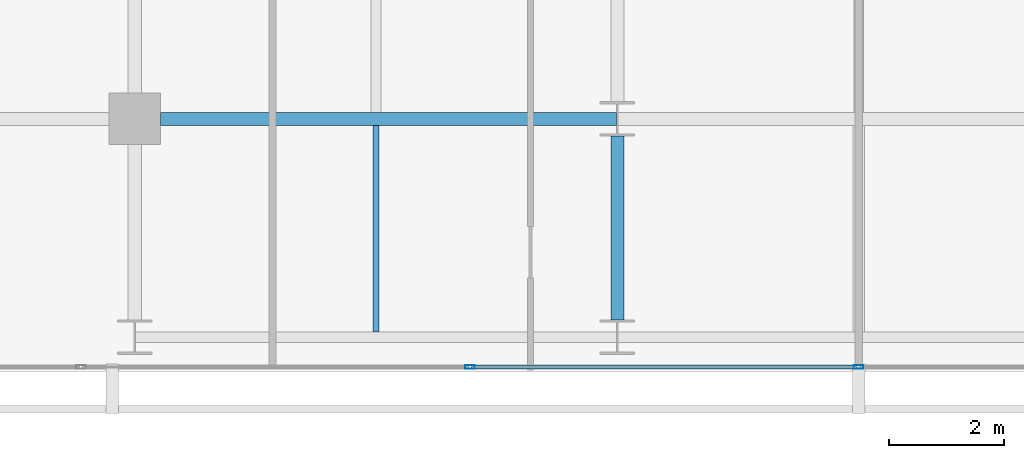
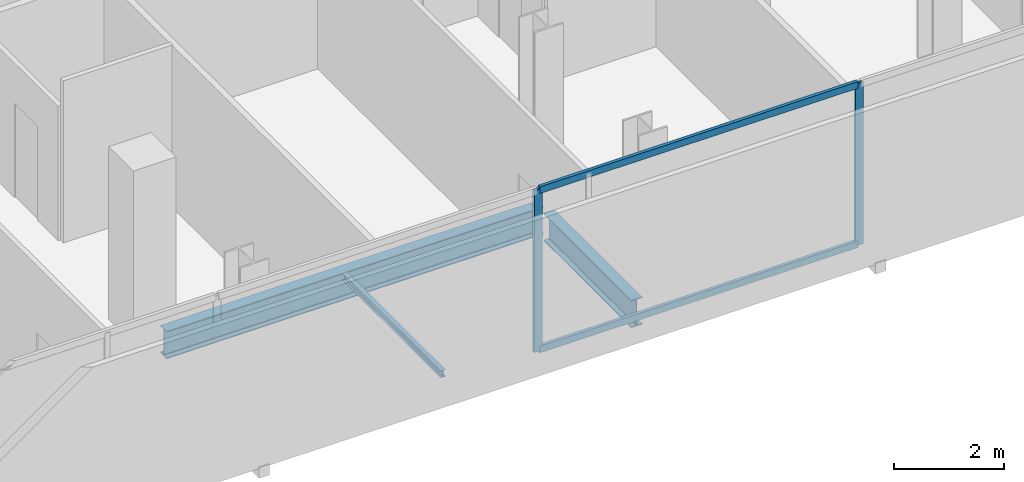
# One storey, part 6 of 33: 4 members, 3 beams, 1 element without a shape of its own.
"""IFC4 building model written with IfcOpenShell, lengths in metres."""

from ifc_helpers import new_model, si_unit, direction, frame, origin, origin_2d, place, context, subcontext, project, spatial, hollow_rectangle, i_section, extrude, material, layer, layer_set, material_profile, profile_set, type_object, element, aggregate, save


model = new_model("IFC4")

# Units and contexts
model_context = context("Model", 3, precision=1e-05, world=origin(), true_north=direction((0.0, 1.0)))
body_context = subcontext(model_context, "Body", "Model", "MODEL_VIEW")
ifc_project = project(units=[si_unit("LENGTHUNIT", "METRE"), si_unit("AREAUNIT", "SQUARE_METRE"), si_unit("VOLUMEUNIT", "CUBIC_METRE"), si_unit("PLANEANGLEUNIT", "RADIAN"), si_unit("MASSUNIT", "GRAM", prefix="KILO")], contexts=[model_context])

# Site, building, storey
site_placement = place(None, origin())
site = spatial("IfcSite", under=ifc_project, at=site_placement, CompositionType="ELEMENT")
building_placement = place(site_placement, origin())
building = spatial("IfcBuilding", under=site, at=building_placement, Name="Maruvema Waterfront Hotel and Observation Tower", CompositionType="ELEMENT")
storey_placement = place(building_placement, frame((0.0, 0.0, 142.800048828125)))
storey = spatial("IfcBuildingStorey", under=building, at=storey_placement, Name="L34", CompositionType="ELEMENT", Elevation=142.800048828125)

# Curtain wall, members
ifc_material_1 = material(Name="Anodised bronze aluminium and solar-control low-E IGU", Category="aluminium")
ifc_layer = layer(ifc_material_1, 0.159912109375, Name="Zone 2 Amber Inner Thermal Curtain Wall System CW-03")
ifc_layer_set = layer_set([ifc_layer], Name="Anodised bronze aluminium and solar-control low-E IGU")
curtain_wall_type = type_object("IfcCurtainWallType", Name="Zone 2 Amber Inner Thermal Curtain Wall System CW-03", PredefinedType="USERDEFINED", material=ifc_layer_set)
curtain_wall_placement = place(storey_placement, origin())
curtain_wall = element("IfcCurtainWall", 1, at=curtain_wall_placement, inside=storey, type_object=curtain_wall_type, Name="L34 Curtain Wall CW-L34-S", ObjectType="UNITISED CURTAIN WALL", PredefinedType="USERDEFINED")
ifc_material_2 = material(Name="Anodised architectural bronze aluminium", Category="aluminium")
ifc_material_profile_1 = material_profile(ifc_material_2, hollow_rectangle(XDim=0.070068359375, YDim=0.14990234375, WallThickness=0.00390625, at=origin_2d()), Name="ALU-T70x150")
ifc_profile_set_1 = profile_set([ifc_material_profile_1], Name="Anodised architectural bronze aluminium")
member_type_1 = type_object("IfcMemberType", Name="Curtain Wall Horizontal Transom ALU-T70x150", PredefinedType="USERDEFINED", material=ifc_profile_set_1)
member_1_placement = place(storey_placement, frame((31.063232421875, 4.679931640625, 0.030029296875), z_axis=(1.0, 0.0, 0.0), x_axis=(0.0, 1.0, 0.0)))
member_1 = element("IfcMember", 2, at=member_1_placement, type_object=member_type_1, Name="CW-03 transom 3.1", ObjectType="TRANSOM", PredefinedType="USERDEFINED", context=body_context, shape_type="SweptSolid", body=[
    extrude(hollow_rectangle(XDim=0.070068359375, YDim=0.14990234375, WallThickness=0.00390625, at=origin_2d()), origin(), (0.0, 0.0, 1.0), 6.706787109375),
])
member_2_placement = place(storey_placement, frame((31.063232421875, 4.679931640625, 3.579833984375), z_axis=(1.0, 0.0, 0.0), x_axis=(0.0, 1.0, 0.0)))
member_2 = element("IfcMember", 3, at=member_2_placement, type_object=member_type_1, Name="CW-03 transom 3.2", ObjectType="TRANSOM", PredefinedType="USERDEFINED", context=body_context, shape_type="SweptSolid", body=[
    extrude(hollow_rectangle(XDim=0.070068359375, YDim=0.14990234375, WallThickness=0.00390625, at=origin_2d()), origin(), (0.0, 0.0, 1.0), 6.706787109375),
])
ifc_material_3 = material(Name="Anodised architectural bronze aluminium", Category="aluminium")
ifc_material_profile_2 = material_profile(ifc_material_3, hollow_rectangle(XDim=0.06494140625, YDim=0.1650390625, WallThickness=0.00390625, at=origin_2d()), Name="ALU-M65x165")
ifc_profile_set_2 = profile_set([ifc_material_profile_2], Name="Anodised architectural bronze aluminium")
member_type_2 = type_object("IfcMemberType", Name="Curtain Wall Primary Mullion ALU-M65x165", PredefinedType="MULLION", material=ifc_profile_set_2)
member_3_placement = place(storey_placement, frame((31.033447265625, 4.679931640625, 0.0), z_axis=(0.0, 0.0, 1.0), x_axis=(0.0, 1.0, 0.0)))
member_3 = element("IfcMember", 4, at=member_3_placement, type_object=member_type_2, Name="CW-03 mullion 3", PredefinedType="MULLION", context=body_context, shape_type="SweptSolid", body=[
    extrude(hollow_rectangle(XDim=0.06494140625, YDim=0.1650390625, WallThickness=0.00390625, at=origin_2d()), origin(), (0.0, 0.0, 1.0), 3.60986328125),
])
member_4_placement = place(storey_placement, frame((37.800048828125, 4.679931640625, 0.0), z_axis=(0.0, 0.0, 1.0), x_axis=(0.0, 1.0, 0.0)))
member_4 = element("IfcMember", 5, at=member_4_placement, type_object=member_type_2, Name="CW-03 mullion 4", PredefinedType="MULLION", context=body_context, shape_type="SweptSolid", body=[
    extrude(hollow_rectangle(XDim=0.06494140625, YDim=0.1650390625, WallThickness=0.00390625, at=origin_2d()), origin(), (0.0, 0.0, 1.0), 3.60986328125),
])
aggregate(curtain_wall, [member_3, member_4, member_1, member_2])

# Beams
ifc_material_4 = material(Name="Steel ASTM A572 Grade 50", Category="steel")
ifc_material_profile_3 = material_profile(ifc_material_4, i_section(OverallWidth=0.22900390625, OverallDepth=0.612060546875, WebThickness=0.011962890625, FlangeThickness=0.01953125, FilletRadius=0.01806640625, at=origin_2d()), Name="W610x125.0")
ifc_profile_set_3 = profile_set([ifc_material_profile_3], Name="Steel ASTM A572 Grade 50")
beam_type_1 = type_object("IfcBeamType", Name="Primary Floor Girder W610x125.0", PredefinedType="BEAM", material=ifc_profile_set_3)
beam_1_placement = place(storey_placement, frame((25.64990234375, 9.0, -0.546142578125), z_axis=(1.0, 0.0, 0.0), x_axis=(0.0, 1.0, 0.0)))
element("IfcBeam", 6, at=beam_1_placement, inside=storey, type_object=beam_type_1, Name="L34 Floor Girder EW-06", PredefinedType="BEAM", context=body_context, shape_type="SweptSolid", body=[
    extrude(i_section(OverallWidth=0.22900390625, OverallDepth=0.612060546875, WebThickness=0.011962890625, FlangeThickness=0.01953125, FilletRadius=0.01806640625, at=origin_2d()), origin(), (0.0, 0.0, 1.0), 7.9375),
])
beam_2_placement = place(storey_placement, frame((33.60009765625, 5.5, -0.546142578125), z_axis=(0.0, 1.0, 0.0), x_axis=(-1.0, 0.0, 0.0)))
element("IfcBeam", 7, at=beam_2_placement, inside=storey, type_object=beam_type_1, Name="L34 Floor Girder NS-14", PredefinedType="BEAM", context=body_context, shape_type="SweptSolid", body=[
    extrude(i_section(OverallWidth=0.22900390625, OverallDepth=0.612060546875, WebThickness=0.011962890625, FlangeThickness=0.01953125, FilletRadius=0.01806640625, at=origin_2d()), origin(), (0.0, 0.0, 1.0), 3.199951171875),
])
ifc_material_5 = material(Name="Steel ASTM A572 Grade 50", Category="steel")
ifc_material_profile_4 = material_profile(ifc_material_5, i_section(OverallWidth=0.10009765625, OverallDepth=0.153076171875, WebThickness=0.005859375, FlangeThickness=0.007080078125, FilletRadius=0.008056640625, at=origin_2d()), Name="W150x18.0")
ifc_profile_set_4 = profile_set([ifc_material_profile_4], Name="Steel ASTM A572 Grade 50")
beam_type_2 = type_object("IfcBeamType", Name="Secondary Floor Joist W150x18.0", PredefinedType="JOIST", material=ifc_profile_set_4)
beam_3_placement = place(storey_placement, frame((29.39990234375, 5.29052734375, -0.316650390625), z_axis=(0.0, 1.0, 0.0), x_axis=(-1.0, 0.0, 0.0)))
element("IfcBeam", 8, at=beam_3_placement, inside=storey, type_object=beam_type_2, Name="L34 Secondary Floor Joist JS-05", PredefinedType="JOIST", context=body_context, shape_type="SweptSolid", body=[
    extrude(i_section(OverallWidth=0.10009765625, OverallDepth=0.153076171875, WebThickness=0.005859375, FlangeThickness=0.007080078125, FilletRadius=0.008056640625, at=origin_2d()), origin(), (0.0, 0.0, 1.0), 3.594970703125),
])

save(model, "model.ifc")
